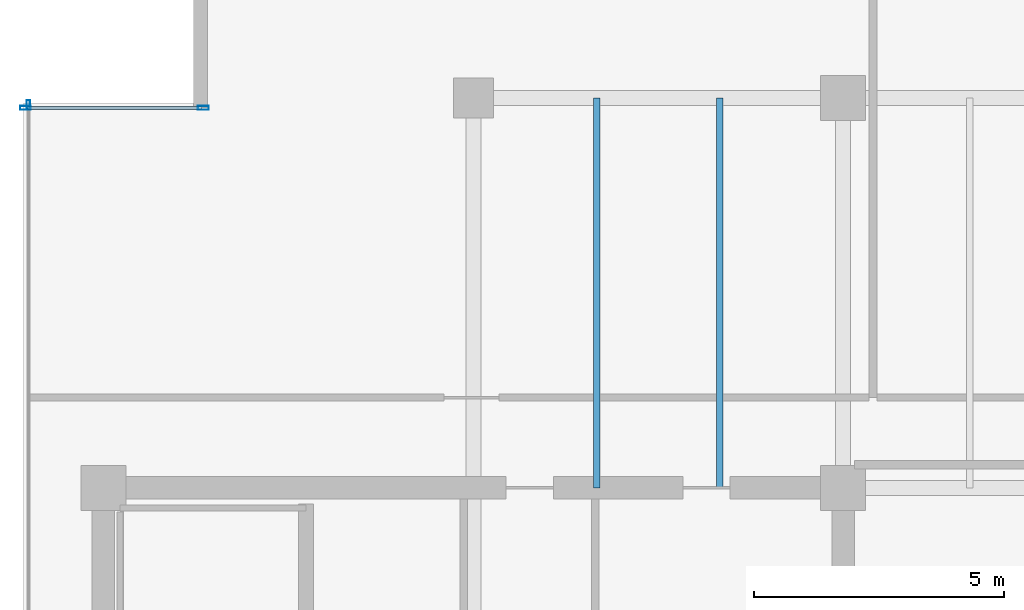
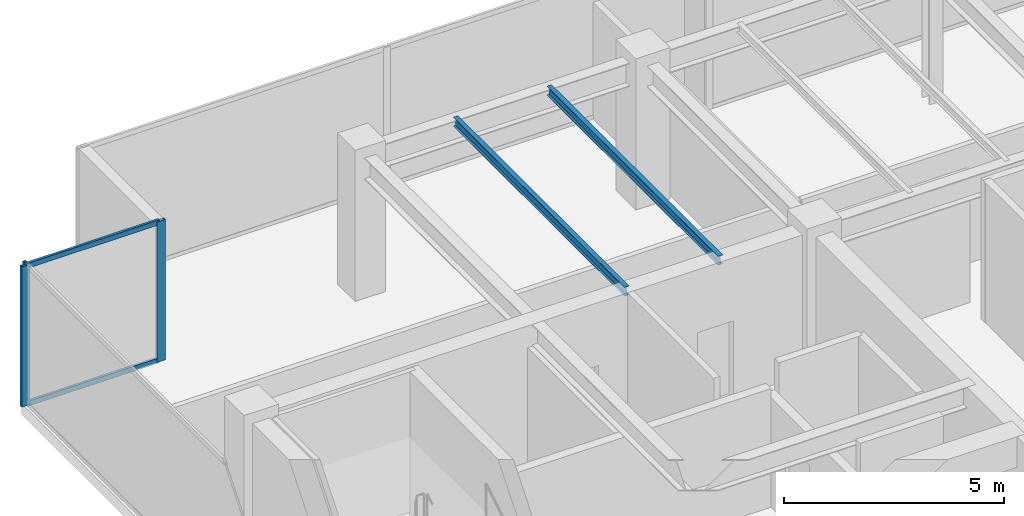
# One storey, part 19 of 31: 5 members, 2 beams, 2 elements without a shape of their own.
"""IFC4 building model written with IfcOpenShell, lengths in metres."""

from ifc_helpers import new_model, si_unit, direction, frame, origin, origin_2d, place, context, subcontext, project, spatial, hollow_rectangle, i_section, extrude, source, transform, mapped, material, layer, layer_set, material_profile, profile_set, type_object, type_shapes, element, aggregate, save


model = new_model("IFC4")

# Units and contexts
model_context = context("Model", 3, precision=1e-05, world=origin(), true_north=direction((0.0, 1.0)))
body_context = subcontext(model_context, "Body", "Model", "MODEL_VIEW")
ifc_project = project(units=[si_unit("LENGTHUNIT", "METRE"), si_unit("AREAUNIT", "SQUARE_METRE"), si_unit("VOLUMEUNIT", "CUBIC_METRE"), si_unit("PLANEANGLEUNIT", "RADIAN"), si_unit("MASSUNIT", "GRAM", prefix="KILO")], contexts=[model_context])

# Site, building, storey
site_placement = place(None, origin())
site = spatial("IfcSite", under=ifc_project, at=site_placement, CompositionType="ELEMENT")
building_placement = place(site_placement, origin())
building = spatial("IfcBuilding", under=site, at=building_placement, Name="Haelvirn Gate Laboratories", CompositionType="ELEMENT")
storey_placement = place(building_placement, frame((0.0, 0.0, 318.60009765625)))
storey = spatial("IfcBuildingStorey", under=building, at=storey_placement, Name="L76", CompositionType="ELEMENT", Elevation=318.60009765625)

# Beams
ifc_material_1 = material(Name="Steel SM355", Category="steel")
ifc_material_profile_1 = material_profile(ifc_material_1, i_section(OverallWidth=0.125, OverallDepth=0.25, WebThickness=0.006103515625, FlangeThickness=0.009033203125, at=origin_2d()), Name="H-250x125x6x9")
ifc_profile_set_1 = profile_set([ifc_material_profile_1], Name="Steel SM355")
beam_type = type_object("IfcBeamType", Name="BM-J-250", PredefinedType="JOIST", material=ifc_profile_set_1)
shared_shape_1 = source(origin(), body_context, "Body", "SweptSolid", [
    extrude(i_section(OverallWidth=0.125, OverallDepth=0.25, WebThickness=0.006103515625, FlangeThickness=0.009033203125, at=origin_2d()), origin(), (0.0, 0.0, 1.0), 7.800048828125),
])
type_shapes(beam_type, [shared_shape_1])
for number, where, z_axis, x_axis, name in (
    (1, (17.27001953125, 33.800048828125, 3.77490234375), (0.0, 1.0, 0.0), (-1.0, 0.0, 0.0), "L76 Composite Lab Joist North X17.27"),
    (2, (19.72998046875, 33.800048828125, 3.77490234375), (0.0, 1.0, 0.0), (-1.0, 0.0, 0.0), "L76 Composite Lab Joist North X19.73"),
):
    element("IfcBeam", number, at=place(storey_placement, frame(where, z_axis=z_axis, x_axis=x_axis)), inside=storey, type_object=beam_type, Name=name, PredefinedType="JOIST", context=body_context, shape_type="MappedRepresentation", body=[
        mapped(shared_shape_1, transform((0.0, 0.0, 0.0), scale=1.0)),
    ])

# Curtain wall, member
ifc_material_2 = material(Name="Anodised bronze unitised aluminium & triple low-E glass", Category="aluminium")
ifc_layer_1 = layer(ifc_material_2, 0.176025390625, Name="CW-SYS-4")
ifc_layer_set_1 = layer_set([ifc_layer_1], Name="Anodised bronze unitised aluminium & triple low-E glass")
curtain_wall_type_1 = type_object("IfcCurtainWallType", Name="CW-SYS-4", PredefinedType="NOTDEFINED", material=ifc_layer_set_1)
curtain_wall_1_placement = place(storey_placement, origin())
curtain_wall_1 = element("IfcCurtainWall", 3, at=curtain_wall_1_placement, inside=storey, type_object=curtain_wall_type_1, Name="L76 Unitised Curtain Wall CW-L76-P0-E17", PredefinedType="NOTDEFINED")
ifc_material_3 = material(Name="Extruded aluminium 6063-T6 (anodised bronze)", Category="aluminium")
ifc_material_profile_2 = material_profile(ifc_material_3, hollow_rectangle(XDim=0.070068359375, YDim=0.179931640625, WallThickness=0.0048828125, at=origin_2d()), Name="CWM-180x70x5")
ifc_profile_set_2 = profile_set([ifc_material_profile_2], Name="Extruded aluminium 6063-T6 (anodised bronze)")
member_type_1 = type_object("IfcMemberType", Name="CWM-T180", PredefinedType="MULLION", material=ifc_profile_set_2)
shared_shape_2 = source(origin(), body_context, "Body", "SweptSolid", [
    extrude(hollow_rectangle(XDim=0.070068359375, YDim=0.179931640625, WallThickness=0.0048828125, at=origin_2d()), origin(), (0.0, 0.0, 1.0), 3.89990234375),
])
type_shapes(member_type_1, [shared_shape_2])
member_1_placement = place(storey_placement, frame((5.89990234375, 41.465087890625, 0.0), z_axis=(0.0, 0.0, 1.0), x_axis=(1.0, 0.0, 0.0)))
member_1 = element("IfcMember", 4, at=member_1_placement, type_object=member_type_1, Name="CW4 mullion 1", PredefinedType="MULLION", context=body_context, shape_type="MappedRepresentation", body=[
    mapped(shared_shape_2, transform((0.0, 0.0, 0.0), scale=1.0)),
])
aggregate(curtain_wall_1, [member_1])

# Curtain wall, members
ifc_layer_2 = layer(ifc_material_2, 0.181884765625, Name="CW-SYS-5")
ifc_layer_set_2 = layer_set([ifc_layer_2], Name="Anodised bronze unitised aluminium & triple low-E glass")
curtain_wall_type_2 = type_object("IfcCurtainWallType", Name="CW-SYS-5", PredefinedType="NOTDEFINED", material=ifc_layer_set_2)
curtain_wall_2_placement = place(storey_placement, origin())
curtain_wall_2 = element("IfcCurtainWall", 5, at=curtain_wall_2_placement, inside=storey, type_object=curtain_wall_type_2, Name="L76 Unitised Curtain Wall CW-L76-P0-E16-1", PredefinedType="NOTDEFINED")
ifc_material_profile_3 = material_profile(ifc_material_3, hollow_rectangle(XDim=0.080078125, YDim=0.219970703125, WallThickness=0.006103515625, at=origin_2d()), Name="CWM-220x80x6")
ifc_profile_set_3 = profile_set([ifc_material_profile_3], Name="Extruded aluminium 6063-T6 (anodised bronze)")
member_type_2 = type_object("IfcMemberType", Name="CWM-T220", PredefinedType="MULLION", material=ifc_profile_set_3)
shared_shape_3 = source(origin(), body_context, "Body", "SweptSolid", [
    extrude(hollow_rectangle(XDim=0.080078125, YDim=0.219970703125, WallThickness=0.006103515625, at=origin_2d()), origin(), (0.0, 0.0, 1.0), 3.89990234375),
])
type_shapes(member_type_2, [shared_shape_3])
member_2_placement = place(storey_placement, frame((5.840087890625, 41.39990234375, 0.0), z_axis=(0.0, 0.0, 1.0), x_axis=(0.0, 1.0, 0.0)))
member_2 = element("IfcMember", 6, at=member_2_placement, type_object=member_type_2, Name="CW5 mullion 1", PredefinedType="MULLION", context=body_context, shape_type="MappedRepresentation", body=[
    mapped(shared_shape_3, transform((0.0, 0.0, 0.0), scale=1.0)),
])
member_3_placement = place(storey_placement, frame((9.39990234375, 41.39990234375, 0.0), z_axis=(0.0, 0.0, 1.0), x_axis=(0.0, 1.0, 0.0)))
member_3 = element("IfcMember", 7, at=member_3_placement, type_object=member_type_2, Name="CW5 mullion 2", PredefinedType="MULLION", context=body_context, shape_type="MappedRepresentation", body=[
    mapped(shared_shape_3, transform((0.0, 0.0, 0.0), scale=1.0)),
])
ifc_material_profile_4 = material_profile(ifc_material_3, hollow_rectangle(XDim=0.06494140625, YDim=0.139892578125, WallThickness=0.00390625, at=origin_2d()), Name="CWT-140x65x4")
ifc_profile_set_4 = profile_set([ifc_material_profile_4], Name="Extruded aluminium 6063-T6 (anodised bronze)")
member_type_3 = type_object("IfcMemberType", Name="CWT-T140", PredefinedType="USERDEFINED", material=ifc_profile_set_4)
shared_shape_4 = source(origin(), body_context, "Body", "SweptSolid", [
    extrude(hollow_rectangle(XDim=0.06494140625, YDim=0.139892578125, WallThickness=0.00390625, at=origin_2d()), origin(), (0.0, 0.0, 1.0), 3.480224609375),
])
type_shapes(member_type_3, [shared_shape_4])
member_4_placement = place(storey_placement, frame((5.8798828125, 41.39990234375, 0.032470703125), z_axis=(1.0, 0.0, 0.0), x_axis=(0.0, 1.0, 0.0)))
member_4 = element("IfcMember", 8, at=member_4_placement, type_object=member_type_3, Name="CW5 transom 1.1", ObjectType="TRANSOM", PredefinedType="USERDEFINED", context=body_context, shape_type="MappedRepresentation", body=[
    mapped(shared_shape_4, transform((0.0, 0.0, 0.0), scale=1.0)),
])
member_5_placement = place(storey_placement, frame((5.8798828125, 41.39990234375, 3.867431640625), z_axis=(1.0, 0.0, 0.0), x_axis=(0.0, 1.0, 0.0)))
member_5 = element("IfcMember", 9, at=member_5_placement, type_object=member_type_3, Name="CW5 transom 1.2", ObjectType="TRANSOM", PredefinedType="USERDEFINED", context=body_context, shape_type="MappedRepresentation", body=[
    mapped(shared_shape_4, transform((0.0, 0.0, 0.0), scale=1.0)),
])
aggregate(curtain_wall_2, [member_2, member_3, member_4, member_5])

save(model, "model.ifc")
